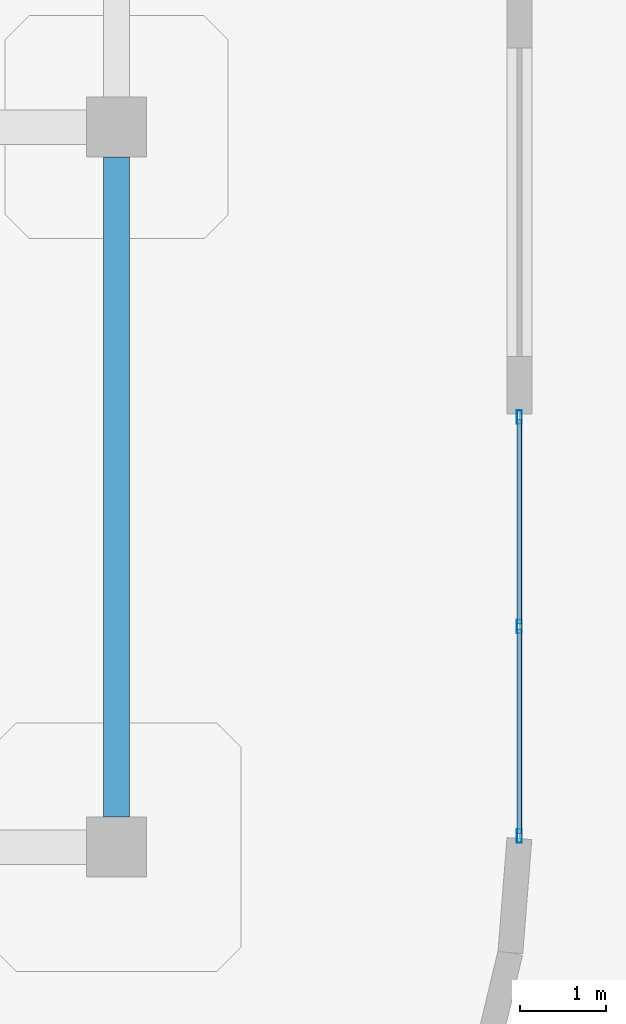
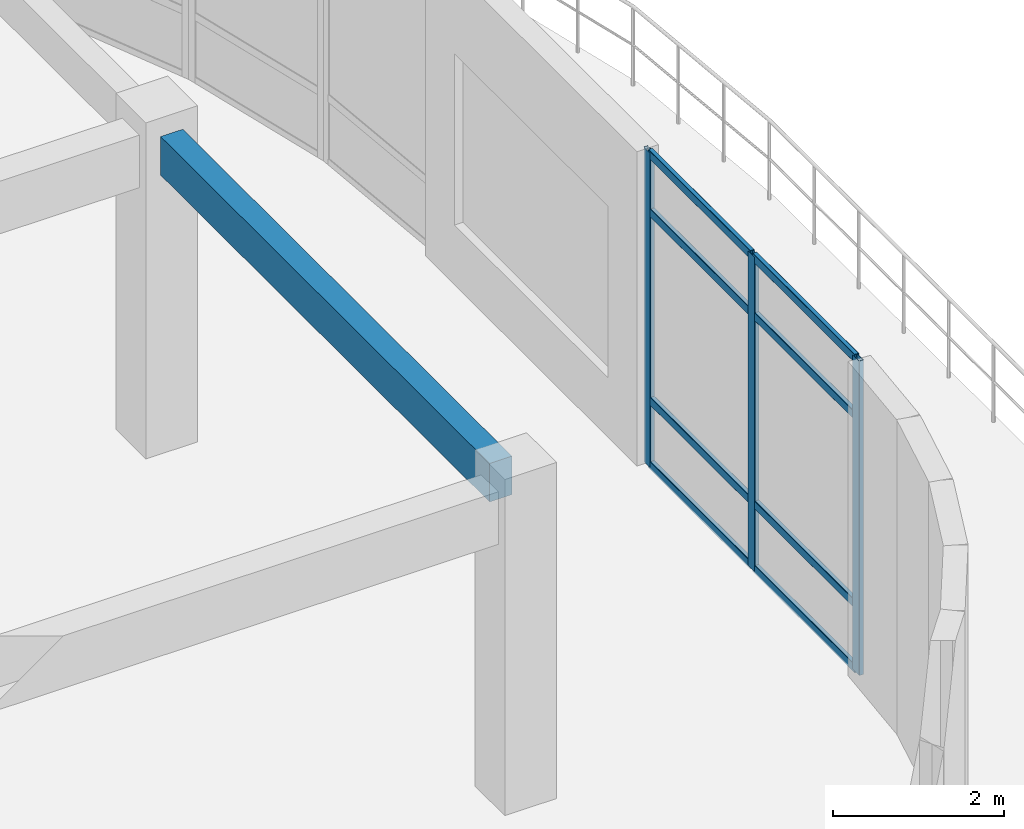
# One storey, part 48 of 76: 11 members, 1 beam, 1 element without a shape of its own.
"""IFC4 building model written with IfcOpenShell, lengths in metres."""

from ifc_helpers import new_model, si_unit, derived_unit, direction, frame, origin, origin_2d, place, context, subcontext, project, spatial, rectangle, hollow_rectangle, extrude, material, layer, layer_set, material_profile, profile_set, type_object, element, aggregate, save


model = new_model("IFC4")

# Units and contexts
model_context = context("Model", 3, precision=1e-05, world=origin(), true_north=direction((0.0, 1.0)))
body_context = subcontext(model_context, "Body", "Model", "MODEL_VIEW")
ifc_project = project(units=[si_unit("LENGTHUNIT", "METRE"), si_unit("AREAUNIT", "SQUARE_METRE"), si_unit("VOLUMEUNIT", "CUBIC_METRE"), si_unit("PLANEANGLEUNIT", "RADIAN"), si_unit("MASSUNIT", "GRAM", prefix="KILO"), derived_unit("THERMALTRANSMITTANCEUNIT", [(si_unit("MASSUNIT", "GRAM", prefix="KILO"), 1), (si_unit("TIMEUNIT", "SECOND"), -3), (si_unit("THERMODYNAMICTEMPERATUREUNIT", "KELVIN"), -1)])], contexts=[model_context])

# Site, building, storey
site_placement = place(None, origin())
site = spatial("IfcSite", under=ifc_project, at=site_placement, CompositionType="ELEMENT")
building_placement = place(site_placement, origin())
building = spatial("IfcBuilding", under=site, at=building_placement, Name="Qinzheling Arcade Emporium", CompositionType="ELEMENT")
storey_placement = place(building_placement, frame((0.0, 0.0, 26.699951171875)))
storey = spatial("IfcBuildingStorey", under=building, at=storey_placement, Name="L06", CompositionType="ELEMENT", Elevation=26.699951171875)

# Curtain wall, members
ifc_material_1 = material(Name="Anodised aluminium and solar-control double glazing", Category="aluminium")
ifc_layer = layer(ifc_material_1, 0.159912109375, Name="Anodised aluminium and solar-control double glazing", Category="aluminium")
ifc_layer_set = layer_set([ifc_layer], Name="Anodised aluminium and solar-control double glazing")
curtain_wall_type = type_object("IfcCurtainWallType", Name="Arcade Portal Glazed Curtain Wall", PredefinedType="NOTDEFINED", material=ifc_layer_set)
curtain_wall_placement = place(storey_placement, origin())
curtain_wall = element("IfcCurtainWall", 1, at=curtain_wall_placement, inside=storey, type_object=curtain_wall_type, Name="Curtain Wall CW-L06-393", PredefinedType="NOTDEFINED")
ifc_material_2 = material(Name="Anodised aluminium 6063-T6", Category="aluminium")
ifc_material_profile_1 = material_profile(ifc_material_2, hollow_rectangle(XDim=0.06005859375, YDim=0.159912109375, WallThickness=0.00390625, InnerFilletRadius=0.00390625, OuterFilletRadius=0.008056640625, at=origin_2d()), Name="RHS 160x60x4", Category="aluminium")
ifc_profile_set_1 = profile_set([ifc_material_profile_1], Name="Anodised aluminium 6063-T6")
member_type_1 = type_object("IfcMemberType", Name="Curtain Wall Mullion RHS160x60", PredefinedType="MULLION", material=ifc_profile_set_1)
member_1_placement = place(storey_placement, frame((135.199951171875, 87.218017578125, 0.0), z_axis=(0.0, 0.0, 1.0), x_axis=(1.0, 0.0, 0.0)))
member_1 = element("IfcMember", 2, at=member_1_placement, type_object=member_type_1, Name="CW05 mullion 1", PredefinedType="MULLION", context=body_context, shape_type="SweptSolid", body=[
    extrude(hollow_rectangle(XDim=0.06005859375, YDim=0.159912109375, WallThickness=0.00390625, InnerFilletRadius=0.00390625, OuterFilletRadius=0.008056640625, at=origin_2d()), origin(), (0.0, 0.0, 1.0), 4.489990234375),
])
member_2_placement = place(storey_placement, frame((135.199951171875, 84.77392578125, 0.0), z_axis=(0.0, 0.0, 1.0), x_axis=(1.0, 0.0, 0.0)))
member_2 = element("IfcMember", 3, at=member_2_placement, type_object=member_type_1, Name="CW05 mullion 2", PredefinedType="MULLION", context=body_context, shape_type="SweptSolid", body=[
    extrude(hollow_rectangle(XDim=0.06005859375, YDim=0.159912109375, WallThickness=0.00390625, InnerFilletRadius=0.00390625, OuterFilletRadius=0.008056640625, at=origin_2d()), origin(), (0.0, 0.0, 1.0), 4.489990234375),
])
member_3_placement = place(storey_placement, frame((135.199951171875, 82.330078125, 0.0), z_axis=(0.0, 0.0, 1.0), x_axis=(1.0, 0.0, 0.0)))
member_3 = element("IfcMember", 4, at=member_3_placement, type_object=member_type_1, Name="CW05 mullion 3", PredefinedType="MULLION", context=body_context, shape_type="SweptSolid", body=[
    extrude(hollow_rectangle(XDim=0.06005859375, YDim=0.159912109375, WallThickness=0.00390625, InnerFilletRadius=0.00390625, OuterFilletRadius=0.008056640625, at=origin_2d()), origin(), (0.0, 0.0, 1.0), 4.489990234375),
])
ifc_material_profile_2 = material_profile(ifc_material_2, hollow_rectangle(XDim=0.06005859375, YDim=0.1201171875, WallThickness=0.00390625, InnerFilletRadius=0.00390625, OuterFilletRadius=0.008056640625, at=origin_2d()), Name="RHS 120x60x4", Category="aluminium")
ifc_profile_set_2 = profile_set([ifc_material_profile_2], Name="Anodised aluminium 6063-T6")
member_type_2 = type_object("IfcMemberType", Name="Curtain Wall Transom RHS120x60", PredefinedType="USERDEFINED", material=ifc_profile_set_2)
member_4_placement = place(storey_placement, frame((135.199951171875, 87.18798828125, 0.030029296875), z_axis=(0.0, -1.0, 0.0), x_axis=(1.0, 0.0, 0.0)))
member_4 = element("IfcMember", 5, at=member_4_placement, type_object=member_type_2, Name="CW05 transom 1.1", ObjectType="TRANSOM", PredefinedType="USERDEFINED", context=body_context, shape_type="SweptSolid", body=[
    extrude(hollow_rectangle(XDim=0.06005859375, YDim=0.1201171875, WallThickness=0.00390625, InnerFilletRadius=0.00390625, OuterFilletRadius=0.008056640625, at=origin_2d()), origin(), (0.0, 0.0, 1.0), 2.384033203125),
])
member_5_placement = place(storey_placement, frame((135.199951171875, 87.18798828125, 0.949951171875), z_axis=(0.0, -1.0, 0.0), x_axis=(1.0, 0.0, 0.0)))
member_5 = element("IfcMember", 6, at=member_5_placement, type_object=member_type_2, Name="CW05 transom 1.2", ObjectType="TRANSOM", PredefinedType="USERDEFINED", context=body_context, shape_type="SweptSolid", body=[
    extrude(hollow_rectangle(XDim=0.06005859375, YDim=0.1201171875, WallThickness=0.00390625, InnerFilletRadius=0.00390625, OuterFilletRadius=0.008056640625, at=origin_2d()), origin(), (0.0, 0.0, 1.0), 2.384033203125),
])
member_6_placement = place(storey_placement, frame((135.199951171875, 87.18798828125, 3.64013671875), z_axis=(0.0, -1.0, 0.0), x_axis=(1.0, 0.0, 0.0)))
member_6 = element("IfcMember", 7, at=member_6_placement, type_object=member_type_2, Name="CW05 transom 1.3", ObjectType="TRANSOM", PredefinedType="USERDEFINED", context=body_context, shape_type="SweptSolid", body=[
    extrude(hollow_rectangle(XDim=0.06005859375, YDim=0.1201171875, WallThickness=0.00390625, InnerFilletRadius=0.00390625, OuterFilletRadius=0.008056640625, at=origin_2d()), origin(), (0.0, 0.0, 1.0), 2.384033203125),
])
member_7_placement = place(storey_placement, frame((135.199951171875, 87.18798828125, 4.4599609375), z_axis=(0.0, -1.0, 0.0), x_axis=(1.0, 0.0, 0.0)))
member_7 = element("IfcMember", 8, at=member_7_placement, type_object=member_type_2, Name="CW05 transom 1.4", ObjectType="TRANSOM", PredefinedType="USERDEFINED", context=body_context, shape_type="SweptSolid", body=[
    extrude(hollow_rectangle(XDim=0.06005859375, YDim=0.1201171875, WallThickness=0.00390625, InnerFilletRadius=0.00390625, OuterFilletRadius=0.008056640625, at=origin_2d()), origin(), (0.0, 0.0, 1.0), 2.384033203125),
])
member_8_placement = place(storey_placement, frame((135.199951171875, 84.743896484375, 0.030029296875), z_axis=(0.0, -1.0, 0.0), x_axis=(1.0, 0.0, 0.0)))
member_8 = element("IfcMember", 9, at=member_8_placement, type_object=member_type_2, Name="CW05 transom 2.1", ObjectType="TRANSOM", PredefinedType="USERDEFINED", context=body_context, shape_type="SweptSolid", body=[
    extrude(hollow_rectangle(XDim=0.06005859375, YDim=0.1201171875, WallThickness=0.00390625, InnerFilletRadius=0.00390625, OuterFilletRadius=0.008056640625, at=origin_2d()), origin(), (0.0, 0.0, 1.0), 2.3837890625),
])
member_9_placement = place(storey_placement, frame((135.199951171875, 84.743896484375, 0.949951171875), z_axis=(0.0, -1.0, 0.0), x_axis=(1.0, 0.0, 0.0)))
member_9 = element("IfcMember", 10, at=member_9_placement, type_object=member_type_2, Name="CW05 transom 2.2", ObjectType="TRANSOM", PredefinedType="USERDEFINED", context=body_context, shape_type="SweptSolid", body=[
    extrude(hollow_rectangle(XDim=0.06005859375, YDim=0.1201171875, WallThickness=0.00390625, InnerFilletRadius=0.00390625, OuterFilletRadius=0.008056640625, at=origin_2d()), origin(), (0.0, 0.0, 1.0), 2.3837890625),
])
member_10_placement = place(storey_placement, frame((135.199951171875, 84.743896484375, 3.64013671875), z_axis=(0.0, -1.0, 0.0), x_axis=(1.0, 0.0, 0.0)))
member_10 = element("IfcMember", 11, at=member_10_placement, type_object=member_type_2, Name="CW05 transom 2.3", ObjectType="TRANSOM", PredefinedType="USERDEFINED", context=body_context, shape_type="SweptSolid", body=[
    extrude(hollow_rectangle(XDim=0.06005859375, YDim=0.1201171875, WallThickness=0.00390625, InnerFilletRadius=0.00390625, OuterFilletRadius=0.008056640625, at=origin_2d()), origin(), (0.0, 0.0, 1.0), 2.3837890625),
])
member_11_placement = place(storey_placement, frame((135.199951171875, 84.743896484375, 4.4599609375), z_axis=(0.0, -1.0, 0.0), x_axis=(1.0, 0.0, 0.0)))
member_11 = element("IfcMember", 12, at=member_11_placement, type_object=member_type_2, Name="CW05 transom 2.4", ObjectType="TRANSOM", PredefinedType="USERDEFINED", context=body_context, shape_type="SweptSolid", body=[
    extrude(hollow_rectangle(XDim=0.06005859375, YDim=0.1201171875, WallThickness=0.00390625, InnerFilletRadius=0.00390625, OuterFilletRadius=0.008056640625, at=origin_2d()), origin(), (0.0, 0.0, 1.0), 2.3837890625),
])
aggregate(curtain_wall, [member_1, member_2, member_3, member_4, member_5, member_6, member_7, member_8, member_9, member_10, member_11])

# Beam
ifc_material_3 = material(Name="Concrete C40", Category="concrete")
ifc_material_profile_3 = material_profile(ifc_material_3, rectangle(XDim=0.300048828125, YDim=0.550048828125, at=origin_2d()), Name="RC 300x550", Category="concrete")
ifc_profile_set_3 = profile_set([ifc_material_profile_3], Name="Concrete C40")
beam_type = type_object("IfcBeamType", Name="RC Terrace Spandrel Beam 300x550 C40", PredefinedType="SPANDREL", material=ifc_profile_set_3)
beam_placement = place(storey_placement, frame((130.5, 82.550048828125, 4.260009765625), z_axis=(0.0, 1.0, 0.0), x_axis=(-1.0, 0.0, 0.0)))
element("IfcBeam", 13, at=beam_placement, inside=storey, type_object=beam_type, Name="Beam BM-L06-Y-16-K", PredefinedType="SPANDREL", context=body_context, shape_type="SweptSolid", body=[
    extrude(rectangle(XDim=0.300048828125, YDim=0.550048828125, at=origin_2d()), origin(), (0.0, 0.0, 1.0), 7.699951171875),
])

save(model, "model.ifc")
